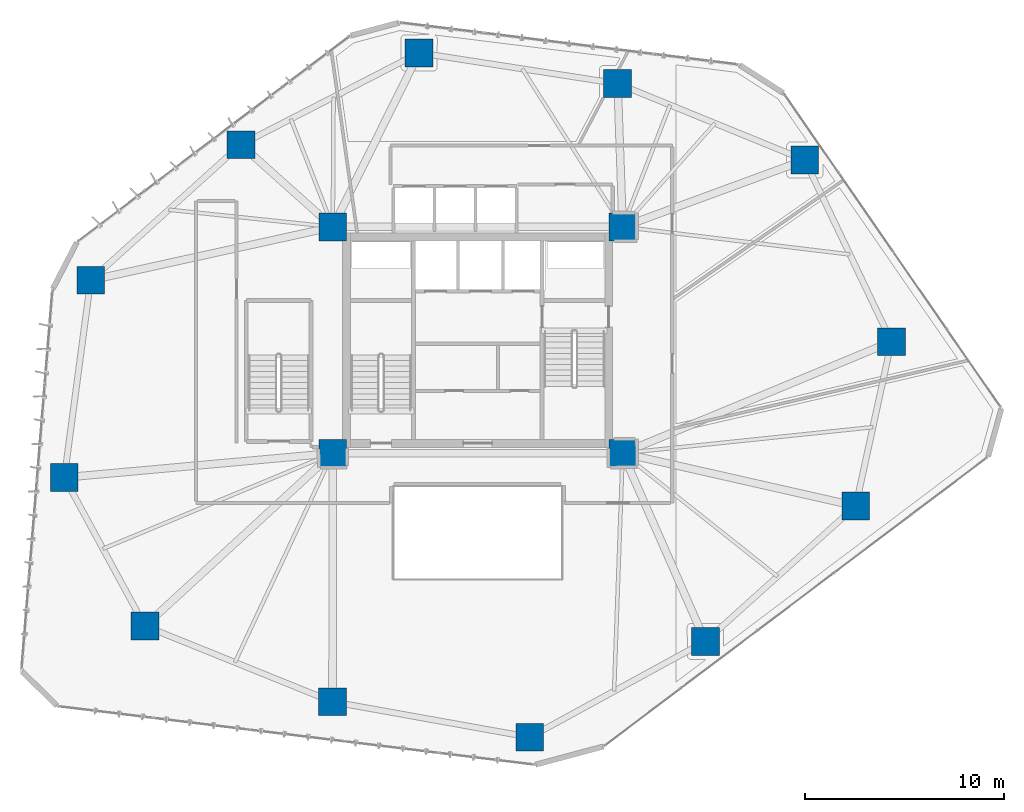
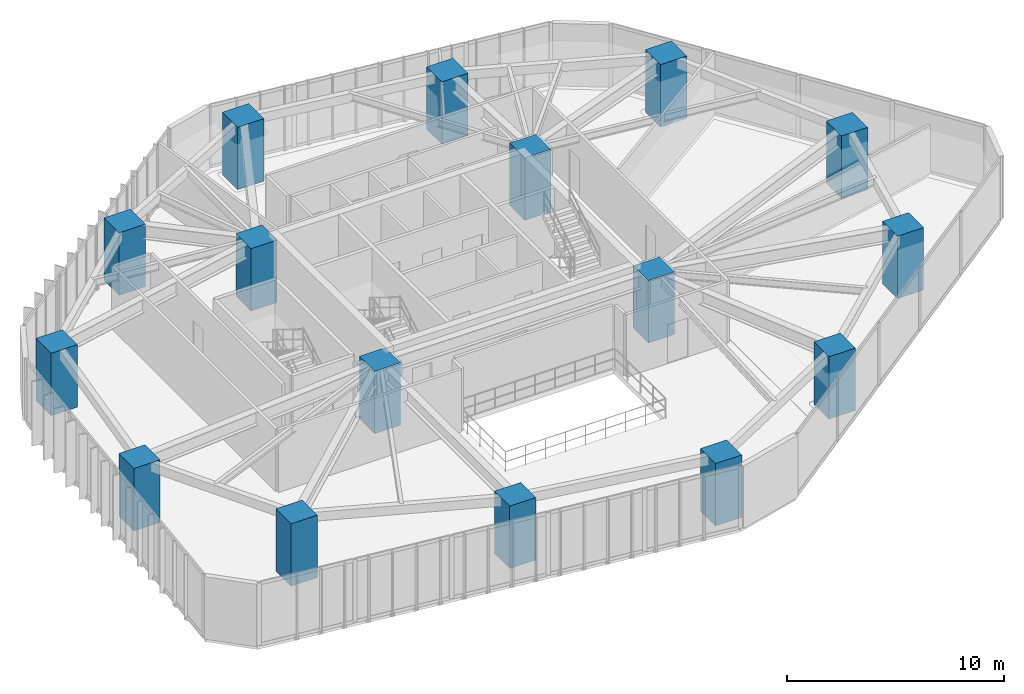
# One storey, part 1 of 23: 16 columns.
"""IFC4 building model written with IfcOpenShell, lengths in metres."""

import ifcopenshell
import ifcopenshell.guid

model = None  # the IFC model being written
_history = None  # IfcOwnerHistory: only IFC2X3 demands one
_inside = {}  # id of a spatial element -> (the spatial element, [elements in it])
_under = {}  # id of a project, library or spatial element -> (it, [spatial elements below it])
_declared = {}  # id of a project -> (the project, [libraries it declares])
_typed = {}  # id of a type object -> (the type object, [elements of that type])
_made_of = {}  # id of a material, layer set ... -> (it, [elements and type objects made of it])


def new_model(schema):
    """Start an empty IFC model of exactly this schema.

    Asked for "IFC4X3", IfcOpenShell would pick the latest addendum, in which some entities
    have other attributes; the version numbers below select the first issue.
    IFC2X3 requires an IfcOwnerHistory on every rooted entity: one is made here for all.
    """
    global model, _history
    if schema == "IFC4X3":
        model = ifcopenshell.file(schema_version=(4, 3, 0, 0))
    else:
        model = ifcopenshell.file(schema=schema)
    _inside.clear()
    _under.clear()
    _declared.clear()
    _typed.clear()
    _made_of.clear()
    _history = None
    if model.schema == "IFC2X3":
        org = make("IfcOrganization", Name="unknown")
        user = make(
            "IfcPersonAndOrganization",
            ThePerson=make("IfcPerson", FamilyName="unknown"),
            TheOrganization=org,
        )
        app = make(
            "IfcApplication",
            ApplicationDeveloper=org,
            Version="unknown",
            ApplicationFullName="unknown",
            ApplicationIdentifier="unknown",
        )
        _history = make(
            "IfcOwnerHistory",
            OwningUser=user,
            OwningApplication=app,
            ChangeAction="ADDED",
            CreationDate=0,
        )
    return model


def make(cls, **values):
    """One entity of the class cls with the attributes given. An attribute that is None is left unset."""
    return model.create_entity(
        cls, **{name: value for name, value in values.items() if value is not None}
    )


def rooted(cls, **values):
    """An entity with a GlobalId (a new one), such as an element, a storey or a relation."""
    return make(cls, GlobalId=ifcopenshell.guid.new(), OwnerHistory=_history, **values)


def si_unit(unit_type, name, prefix=None):
    """IfcSIUnit, for example si_unit("LENGTHUNIT", "METRE", prefix="MILLI")."""
    return make("IfcSIUnit", UnitType=unit_type, Prefix=prefix, Name=name)


def assignment(units):
    """IfcUnitAssignment: the units of a project."""
    return None if units is None else make("IfcUnitAssignment", Units=units)


def point(xyz):
    """IfcCartesianPoint."""
    return None if xyz is None else make("IfcCartesianPoint", Coordinates=xyz)


def direction(xyz):
    """IfcDirection."""
    return None if xyz is None else make("IfcDirection", DirectionRatios=xyz)


def frame(location, z_axis=None, x_axis=None):
    """IfcAxis2Placement3D, a coordinate frame: its origin and axes. An axis left out is left unset."""
    return make(
        "IfcAxis2Placement3D",
        Location=point(location),
        Axis=direction(z_axis),
        RefDirection=direction(x_axis),
    )


def frame_2d(location, x_axis=None):
    """IfcAxis2Placement2D, a coordinate frame in the plane: its origin and x axis."""
    return make(
        "IfcAxis2Placement2D", Location=point(location), RefDirection=direction(x_axis)
    )


def origin():
    """The frame at (0, 0, 0) with its axes left unset."""
    return frame((0.0, 0.0, 0.0))


def origin_2d():
    """The frame at (0, 0) in the plane with its x axis left unset."""
    return frame_2d((0.0, 0.0))


def place(relative_to, where):
    """IfcLocalPlacement: puts the frame where relative to a parent placement (None: the world)."""
    return make(
        "IfcLocalPlacement", PlacementRelTo=relative_to, RelativePlacement=where
    )


def context(
    kind, dimensions, precision=None, world=None, true_north=None, identifier=None
):
    """IfcGeometricRepresentationContext, for example the 3D "Model" context."""
    return make(
        "IfcGeometricRepresentationContext",
        ContextIdentifier=identifier,
        ContextType=kind,
        CoordinateSpaceDimension=dimensions,
        Precision=precision,
        WorldCoordinateSystem=world,
        TrueNorth=true_north,
    )


def subcontext(parent, identifier, kind, view, scale=None):
    """IfcGeometricRepresentationSubContext, for example "Body" below "Model"."""
    return make(
        "IfcGeometricRepresentationSubContext",
        ContextIdentifier=identifier,
        ContextType=kind,
        ParentContext=parent,
        TargetScale=scale,
        TargetView=view,
    )


def project(units=None, contexts=None):
    """IfcProject with its units and contexts."""
    return rooted(
        "IfcProject",
        Name="project",
        RepresentationContexts=contexts,
        UnitsInContext=assignment(units),
    )


def spatial(cls, under=None, at=None, **own):
    """A site, building, storey or space (cls), placed at a placement, below another one or the project."""
    s = rooted(cls, ObjectPlacement=at, **own)
    if under is not None:
        _under.setdefault(under.id(), (under, []))[1].append(s)
    return s


def profile(cls, at=None, kind="AREA", **sizes):
    """A parametric profile (cls). Its sizes go by their IFC names, for example OverallWidth=200.0."""
    return make(cls, ProfileType=kind, Position=at, **sizes)


def rectangle(**sizes):
    """IfcRectangleProfileDef."""
    return profile("IfcRectangleProfileDef", **sizes)


def extrude(swept, where, along, depth):
    """IfcExtrudedAreaSolid: the profile swept, set in the frame where, extruded along a direction by depth."""
    return make(
        "IfcExtrudedAreaSolid",
        SweptArea=swept,
        Position=where,
        ExtrudedDirection=direction(along),
        Depth=depth,
    )


def shape(context_of_items, identifier, shape_type, items):
    """IfcShapeRepresentation: the items that make up one representation, for example the "Body"."""
    return make(
        "IfcShapeRepresentation",
        ContextOfItems=context_of_items,
        RepresentationIdentifier=identifier,
        RepresentationType=shape_type,
        Items=items,
    )


def material(Name=None, Category=None):
    """IfcMaterial."""
    return make("IfcMaterial", Name=Name, Category=Category)


def material_profile(
    of_material, cross_section, Name=None, Category=None, Priority=None
):
    """IfcMaterialProfile: a cross section and its material."""
    return make(
        "IfcMaterialProfile",
        Name=Name,
        Material=of_material,
        Profile=cross_section,
        Priority=Priority,
        Category=Category,
    )


def profile_set(profiles, Name=None, composite=None):
    """IfcMaterialProfileSet."""
    return make(
        "IfcMaterialProfileSet",
        Name=Name,
        MaterialProfiles=profiles,
        CompositeProfile=composite,
    )


def made_of(thing, what):
    """Note that an element or type object is made of a material, layer set ...; save() writes the relation."""
    if what is not None:
        _made_of.setdefault(what.id(), (what, []))[1].append(thing)
    return thing


def type_object(cls, material=None, **own):
    """A type object (cls), such as IfcWallType, which elements share."""
    return made_of(rooted(cls, **own), material)


def element(
    cls,
    number,
    at=None,
    inside=None,
    cuts=None,
    type_object=None,
    material=None,
    context=None,
    identifier="Body",
    shape_type=None,
    held_by="IfcProductDefinitionShape",
    body=None,
    shapes=None,
    **own,
):
    """One element of the class cls, such as IfcWall. Its Tag is "e" and its number.

    at: its placement. inside: the storey or other place that contains it. cuts: it is an
    opening in that element (IfcRelVoidsElement). A single representation is given by context,
    identifier, shape_type and body (its items); several are given by shapes. held_by: the class
    of the entity that holds the representations. save() writes the other relations.
    """
    e = rooted(cls, Tag="e%d" % number, ObjectPlacement=at, **own)
    if body is not None:
        shapes = [shape(context, identifier, shape_type, body)]
    if shapes is not None:
        e.Representation = make(held_by, Representations=shapes)
    if inside is not None:
        _inside.setdefault(inside.id(), (inside, []))[1].append(e)
    if cuts is not None:
        rooted(
            "IfcRelVoidsElement", RelatingBuildingElement=cuts, RelatedOpeningElement=e
        )
    if type_object is not None:
        _typed.setdefault(type_object.id(), (type_object, []))[1].append(e)
    return made_of(e, material)


def aggregate(whole, parts):
    """IfcRelAggregates: a whole, such as a stair, and the parts it consists of."""
    return rooted("IfcRelAggregates", RelatingObject=whole, RelatedObjects=parts)


def save(model, path):
    """Write the relations noted so far, then the file.

    IfcRelAggregates (storeys below a building ...), IfcRelContainedInSpatialStructure (elements
    in a storey), IfcRelDefinesByType, IfcRelAssociatesMaterial and IfcRelDeclares: one each for
    every whole, place, type object, material and project.
    """
    for whole, parts in _under.values():
        aggregate(whole, parts)
    for where, things in _inside.values():
        rooted(
            "IfcRelContainedInSpatialStructure",
            RelatedElements=things,
            RelatingStructure=where,
        )
    for kind, things in _typed.values():
        rooted("IfcRelDefinesByType", RelatedObjects=things, RelatingType=kind)
    for what, things in _made_of.values():
        rooted("IfcRelAssociatesMaterial", RelatedObjects=things, RelatingMaterial=what)
    for by, libraries in _declared.values():
        rooted("IfcRelDeclares", RelatingContext=by, RelatedDefinitions=libraries)
    model.write(path)


model = new_model("IFC4")

# Units and contexts
model_context = context("Model", 3, precision=1e-05, world=origin(), true_north=direction((0.0, 1.0)))
body_context = subcontext(model_context, "Body", "Model", "MODEL_VIEW")
ifc_project = project(units=[si_unit("LENGTHUNIT", "METRE"), si_unit("AREAUNIT", "SQUARE_METRE"), si_unit("VOLUMEUNIT", "CUBIC_METRE"), si_unit("PLANEANGLEUNIT", "RADIAN"), si_unit("MASSUNIT", "GRAM", prefix="KILO")], contexts=[model_context])

# Site, building, storey
site_placement = place(None, origin())
site = spatial("IfcSite", under=ifc_project, at=site_placement, CompositionType="ELEMENT")
building_placement = place(site_placement, origin())
building = spatial("IfcBuilding", under=site, at=building_placement, Name="Talar Marvaseh", CompositionType="ELEMENT")
storey_placement = place(building_placement, frame((0.0, 0.0, 69.60009765625)))
storey = spatial("IfcBuildingStorey", under=building, at=storey_placement, Name="L17", CompositionType="ELEMENT", Elevation=69.60009765625)

# Columns
ifc_material = material(Name="Concrete C70/85", Category="concrete")
ifc_material_profile = material_profile(ifc_material, rectangle(XDim=1.39990234375, YDim=1.39990234375, at=origin_2d()), Name="RC1400x1400")
ifc_profile_set = profile_set([ifc_material_profile], Name="Concrete C70/85")
column_type = type_object("IfcColumnType", Name="Zone 1 Tube Column RC1400x1400", PredefinedType="COLUMN", material=ifc_profile_set)
for number, where, z_axis, x_axis, name in (
    (1, (42.47705078125, 40.26904296875, 0.0), (0.0, 0.0, 1.0), (1.0, 0.0, 0.0), "L17 Zone 1 Tube Column RC1400x1400"),
    (2, (46.841064453125, 31.118896484375, 0.0), (0.0, 0.0, 1.0), (1.0, 0.0, 0.0), "L17 Zone 1 Tube Column RC1400x1400"),
    (3, (45.0439453125, 22.840087890625, 0.0), (0.0, 0.0, 1.0), (1.0, 0.0, 0.0), "L17 Zone 1 Tube Column RC1400x1400"),
    (4, (37.468017578125, 16.02099609375, 0.0), (0.0, 0.0, 1.0), (1.0, 0.0, 0.0), "L17 Zone 1 Tube Column RC1400x1400"),
    (5, (28.625, 11.195068359375, 0.0), (0.0, 0.0, 1.0), (1.0, 0.0, 0.0), "L17 Zone 1 Tube Column RC1400x1400"),
    (6, (18.68310546875, 12.97900390625, 0.0), (0.0, 0.0, 1.0), (1.0, 0.0, 0.0), "L17 Zone 1 Tube Column RC1400x1400"),
    (7, (9.23193359375, 16.7958984375, 0.0), (0.0, 0.0, 1.0), (1.0, 0.0, 0.0), "L17 Zone 1 Tube Column RC1400x1400"),
    (8, (5.175048828125, 24.27587890625, 0.0), (0.0, 0.0, 1.0), (1.0, 0.0, 0.0), "L17 Zone 1 Tube Column RC1400x1400"),
    (9, (6.501953125, 34.214111328125, 0.0), (0.0, 0.0, 1.0), (1.0, 0.0, 0.0), "L17 Zone 1 Tube Column RC1400x1400"),
    (10, (14.069091796875, 41.04296875, 0.0), (0.0, 0.0, 1.0), (1.0, 0.0, 0.0), "L17 Zone 1 Tube Column RC1400x1400"),
    (11, (23.047119140625, 45.6669921875, 0.0), (0.0, 0.0, 1.0), (1.0, 0.0, 0.0), "L17 Zone 1 Tube Column RC1400x1400"),
    (12, (33.0458984375, 44.117919921875, 0.0), (0.0, 0.0, 1.0), (1.0, 0.0, 0.0), "L17 Zone 1 Tube Column RC1400x1400"),
    (13, (18.699951171875, 25.5, 0.0), (0.0, 0.0, 1.0), (1.0, 0.0, 0.0), "L17 Zone 1 Tube Column RC1400x1400"),
    (14, (33.300048828125, 25.5, 0.0), (0.0, 0.0, 1.0), (1.0, 0.0, 0.0), "L17 Zone 1 Tube Column RC1400x1400"),
    (15, (33.300048828125, 36.89990234375, 0.0), (0.0, 0.0, 1.0), (1.0, 0.0, 0.0), "L17 Zone 1 Tube Column RC1400x1400"),
    (16, (18.699951171875, 36.89990234375, 0.0), (0.0, 0.0, 1.0), (1.0, 0.0, 0.0), "L17 Zone 1 Tube Column RC1400x1400"),
):
    element("IfcColumn", number, at=place(storey_placement, frame(where, z_axis=z_axis, x_axis=x_axis)), inside=storey, type_object=column_type, Name=name, PredefinedType="COLUMN", context=body_context, shape_type="SweptSolid", body=[
        extrude(rectangle(XDim=1.39990234375, YDim=1.39990234375, at=origin_2d()), origin(), (0.0, 0.0, 1.0), 3.52001953125),
    ])

save(model, "model.ifc")
